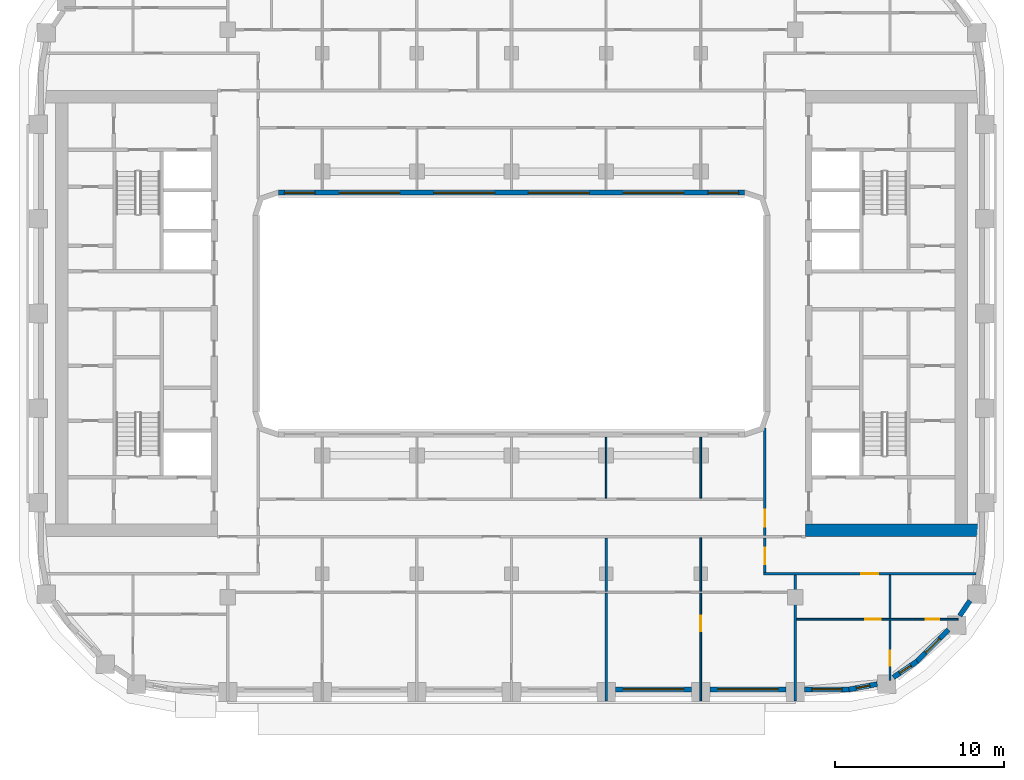
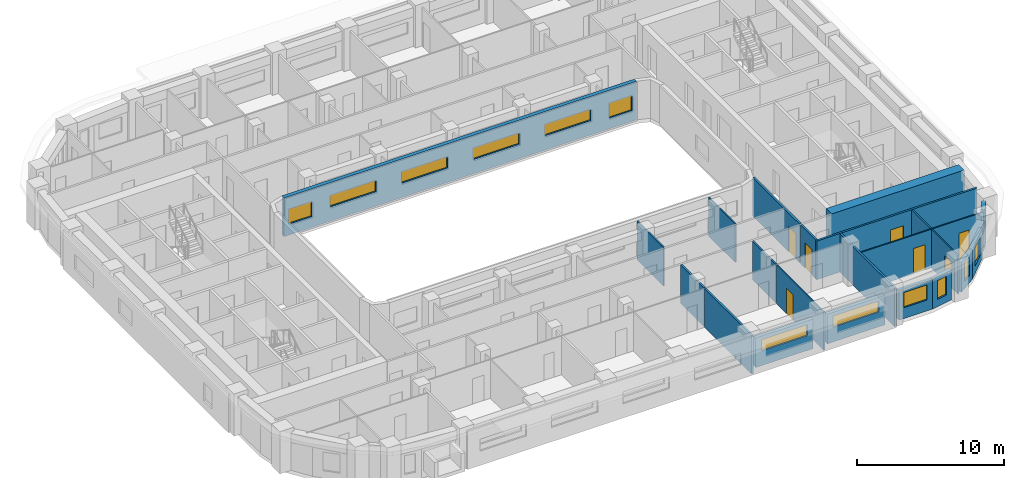
# One storey, part 5 of 22: 22 walls, 12 windows, 7 doors, 19 openings.
"""IFC4 building model written with IfcOpenShell, lengths in metres."""

from ifc_helpers import new_model, si_unit, direction, frame, frame_2d, origin, place, context, subcontext, project, spatial, rectangle, extrude, material, layer, layer_set, type_object, element, fill, save


model = new_model("IFC4")

# Units and contexts
model_context = context("Model", 3, precision=1e-05, world=origin(), true_north=direction((0.0, 1.0)))
body_context = subcontext(model_context, "Body", "Model", "MODEL_VIEW")
ifc_project = project(units=[si_unit("LENGTHUNIT", "METRE"), si_unit("AREAUNIT", "SQUARE_METRE"), si_unit("VOLUMEUNIT", "CUBIC_METRE"), si_unit("PLANEANGLEUNIT", "RADIAN"), si_unit("MASSUNIT", "GRAM", prefix="KILO")], contexts=[model_context])

# Site, building, storey
site_placement = place(None, origin())
site = spatial("IfcSite", under=ifc_project, at=site_placement, CompositionType="ELEMENT")
building_placement = place(site_placement, origin())
building = spatial("IfcBuilding", under=site, at=building_placement, Name="Kiln Ring Residences", CompositionType="ELEMENT")
storey_placement = place(building_placement, frame((0.0, 0.0, 146.60009765625)))
storey = spatial("IfcBuildingStorey", under=building, at=storey_placement, Name="L37", CompositionType="ELEMENT", Elevation=146.60009765625)

# Wall
ifc_material_1 = material(Name="Concrete C60/75", Category="concrete")
ifc_layer_1 = layer(ifc_material_1, 0.75)
ifc_layer_set_1 = layer_set([ifc_layer_1], Name="CORE-WALL-RC750")
wall_type_1 = type_object("IfcWallType", Name="CORE-WALL-RC750", PredefinedType="SHEAR", material=ifc_layer_set_1)
wall_1_placement = place(storey_placement, frame((17.39990234375, -12.824951171875, 0.0), z_axis=(0.0, 0.0, 1.0), x_axis=(1.0, 0.0, 0.0)))
element("IfcWall", 1, at=wall_1_placement, inside=storey, type_object=wall_type_1, Name="Core wall east L37 5", PredefinedType="SHEAR", context=body_context, shape_type="SweptSolid", body=[
    extrude(rectangle(XDim=10.400146484375, YDim=0.75, at=frame_2d((5.2001953125, 0.0))), origin(), (0.0, 0.0, 1.0), 3.199951171875),
])

# Wall, opening, window
ifc_material_2 = material(Name="Brick masonry, dark clay brick", Category="masonry")
ifc_layer_2 = layer(ifc_material_2, 0.300048828125)
ifc_layer_set_2 = layer_set([ifc_layer_2], Name="EW-300 BRICK WALL")
wall_type_2 = type_object("IfcWallType", Name="EW-300 BRICK WALL", PredefinedType="SOLIDWALL", material=ifc_layer_set_2)
wall_2_placement = place(storey_placement, frame((6.14990234375, -22.25, 0.0), z_axis=(0.0, 0.0, 1.0), x_axis=(1.0, 0.0, 0.0)))
wall_2 = element("IfcWall", 2, at=wall_2_placement, inside=storey, type_object=wall_type_2, Name="Facade wall L37 9", PredefinedType="SOLIDWALL", context=body_context, shape_type="SweptSolid", body=[
    extrude(rectangle(XDim=4.5, YDim=0.300048828125, at=frame_2d((2.25, 0.0))), origin(), (0.0, 0.0, 1.0), 2.449951171875),
])
opening_1_placement = place(wall_2_placement, frame((0.449951171875, 0.0, 1.199951171875)))
opening_1 = element("IfcOpeningElement", 3, at=opening_1_placement, cuts=wall_2, Name="Opening W4", PredefinedType="OPENING", context=body_context, shape_type="SweptSolid", body=[
    extrude(rectangle(XDim=3.60009765625, YDim=0.949951171875, at=frame_2d((1.800048828125, 0.47509765625))), frame((0.0, 0.159912109375, 0.0), z_axis=(0.0, -1.0, 0.0), x_axis=(1.0, 0.0, 0.0)), (0.0, 0.0, 1.0), 0.320068359375),
])
ifc_material_3 = material(Name="Aluminium frame with double glazing", Category="aluminium")
window_type_1 = type_object("IfcWindowType", Name="WINDOW 3600 x 950", PartitioningType="SINGLE_PANEL", PredefinedType="WINDOW", material=ifc_material_3)
window_1_placement = place(opening_1_placement, origin())
window_1 = element("IfcWindow", 4, at=window_1_placement, inside=storey, type_object=window_type_1, Name="Window L37 8", OverallHeight=0.949951171875, OverallWidth=3.60009765625, PartitioningType="SINGLE_PANEL", PredefinedType="WINDOW", context=body_context, shape_type="SweptSolid", body=[
    extrude(rectangle(XDim=3.60009765625, YDim=0.949951171875, at=frame_2d((1.800048828125, 0.47509765625))), frame((0.0, 0.030029296875, 0.0), z_axis=(0.0, -1.0, 0.0), x_axis=(1.0, 0.0, 0.0)), (0.0, 0.0, 1.0), 0.06005859375),
])
fill(opening_1, window_1)

wall_3_placement = place(storey_placement, frame((11.75, -22.25, 0.0), z_axis=(0.0, 0.0, 1.0), x_axis=(1.0, 0.0, 0.0)))
wall_3 = element("IfcWall", 5, at=wall_3_placement, inside=storey, type_object=wall_type_2, Name="Facade wall L37 10", PredefinedType="SOLIDWALL", context=body_context, shape_type="SweptSolid", body=[
    extrude(rectangle(XDim=4.5, YDim=0.300048828125, at=frame_2d((2.25, 0.0))), origin(), (0.0, 0.0, 1.0), 2.449951171875),
])
opening_2_placement = place(wall_3_placement, frame((0.449951171875, 0.0, 1.199951171875)))
opening_2 = element("IfcOpeningElement", 6, at=opening_2_placement, cuts=wall_3, Name="Opening W4", PredefinedType="OPENING", context=body_context, shape_type="SweptSolid", body=[
    extrude(rectangle(XDim=3.60009765625, YDim=0.949951171875, at=frame_2d((1.800048828125, 0.47509765625))), frame((0.0, 0.159912109375, 0.0), z_axis=(0.0, -1.0, 0.0), x_axis=(1.0, 0.0, 0.0)), (0.0, 0.0, 1.0), 0.320068359375),
])
window_2_placement = place(opening_2_placement, origin())
window_2 = element("IfcWindow", 7, at=window_2_placement, inside=storey, type_object=window_type_1, Name="Window L37 9", OverallHeight=0.949951171875, OverallWidth=3.60009765625, PartitioningType="SINGLE_PANEL", PredefinedType="WINDOW", context=body_context, shape_type="SweptSolid", body=[
    extrude(rectangle(XDim=3.60009765625, YDim=0.949951171875, at=frame_2d((1.800048828125, 0.47509765625))), frame((0.0, 0.030029296875, 0.0), z_axis=(0.0, -1.0, 0.0), x_axis=(1.0, 0.0, 0.0)), (0.0, 0.0, 1.0), 0.06005859375),
])
fill(opening_2, window_2)

wall_4_placement = place(storey_placement, frame((17.35009765625, -22.25, 0.0), z_axis=(0.0, 0.0, 1.0), x_axis=(1.0, 0.0, 0.0)))
wall_4 = element("IfcWall", 8, at=wall_4_placement, inside=storey, type_object=wall_type_2, Name="Facade wall L37 11", PredefinedType="SOLIDWALL", context=body_context, shape_type="SweptSolid", body=[
    extrude(rectangle(XDim=2.64990234375, YDim=0.300048828125, at=frame_2d((1.324951171875, 0.0))), origin(), (0.0, 0.0, 1.0), 2.449951171875),
])
opening_3_placement = place(wall_4_placement, frame((0.425048828125, 0.0, 0.89990234375)))
opening_3 = element("IfcOpeningElement", 9, at=opening_3_placement, cuts=wall_4, Name="Opening W2", PredefinedType="OPENING", context=body_context, shape_type="SweptSolid", body=[
    extrude(rectangle(XDim=1.800048828125, YDim=1.25, at=frame_2d((0.89990234375, 0.625))), frame((0.0, 0.159912109375, 0.0), z_axis=(0.0, -1.0, 0.0), x_axis=(1.0, 0.0, 0.0)), (0.0, 0.0, 1.0), 0.320068359375),
])
ifc_material_4 = material(Name="Aluminium frame with double glazing", Category="aluminium")
window_type_2 = type_object("IfcWindowType", Name="WINDOW 1800 x 1250", PartitioningType="SINGLE_PANEL", PredefinedType="WINDOW", material=ifc_material_4)
window_3_placement = place(opening_3_placement, origin())
window_3 = element("IfcWindow", 10, at=window_3_placement, inside=storey, type_object=window_type_2, Name="Window L37 10", OverallHeight=1.25, OverallWidth=1.800048828125, PartitioningType="SINGLE_PANEL", PredefinedType="WINDOW", context=body_context, shape_type="SweptSolid", body=[
    extrude(rectangle(XDim=1.800048828125, YDim=1.25, at=frame_2d((0.89990234375, 0.625))), frame((0.0, 0.030029296875, 0.0), z_axis=(0.0, -1.0, 0.0), x_axis=(1.0, 0.0, 0.0)), (0.0, 0.0, 1.0), 0.06005859375),
])
fill(opening_3, window_3)

wall_5_placement = place(storey_placement, frame((19.971923828125, -22.252685546875, 0.0), z_axis=(0.0, 0.0, 1.0), x_axis=(0.982297206936, 0.187329114784, 0.0)))
wall_5 = element("IfcWall", 11, at=wall_5_placement, inside=storey, type_object=wall_type_2, Name="Facade wall L37 12", PredefinedType="SOLIDWALL", context=body_context, shape_type="SweptSolid", body=[
    extrude(rectangle(XDim=1.7060546875, YDim=0.300048828125, at=frame_2d((0.85302734375, 0.0))), origin(), (0.0, 0.0, 1.0), 2.449951171875),
])
opening_4_placement = place(wall_5_placement, frame((0.453125, 0.0, 0.60009765625)))
opening_4 = element("IfcOpeningElement", 12, at=opening_4_placement, cuts=wall_5, Name="Opening W5", PredefinedType="OPENING", context=body_context, shape_type="SweptSolid", body=[
    extrude(rectangle(XDim=0.800048828125, YDim=1.550048828125, at=frame_2d((0.39990234375, 0.77490234375))), frame((0.0, 0.159912109375, 0.0), z_axis=(0.0, -1.0, 0.0), x_axis=(1.0, 0.0, 0.0)), (0.0, 0.0, 1.0), 0.320068359375),
])
ifc_material_5 = material(Name="Aluminium frame with double glazing", Category="aluminium")
window_type_3 = type_object("IfcWindowType", Name="WINDOW 800 x 1550", PartitioningType="SINGLE_PANEL", PredefinedType="WINDOW", material=ifc_material_5)
window_4_placement = place(opening_4_placement, origin())
window_4 = element("IfcWindow", 13, at=window_4_placement, inside=storey, type_object=window_type_3, Name="Window L37 11", OverallHeight=1.550048828125, OverallWidth=0.800048828125, PartitioningType="SINGLE_PANEL", PredefinedType="WINDOW", context=body_context, shape_type="SweptSolid", body=[
    extrude(rectangle(XDim=0.800048828125, YDim=1.550048828125, at=frame_2d((0.39990234375, 0.77490234375))), frame((0.0, 0.030029296875, 0.0), z_axis=(0.0, -1.0, 0.0), x_axis=(1.0, 0.0, 0.0)), (0.0, 0.0, 1.0), 0.06005859375),
])
fill(opening_4, window_4)

wall_6_placement = place(storey_placement, frame((22.601806640625, -21.537841796875, 0.0), z_axis=(0.0, 0.0, 1.0), x_axis=(0.827040942766, 0.562141689424, 0.0)))
wall_6 = element("IfcWall", 14, at=wall_6_placement, inside=storey, type_object=wall_type_2, Name="Facade wall L37 13", PredefinedType="SOLIDWALL", context=body_context, shape_type="SweptSolid", body=[
    extrude(rectangle(XDim=1.7060546875, YDim=0.300048828125, at=frame_2d((0.85302734375, 0.0))), origin(), (0.0, 0.0, 1.0), 2.449951171875),
])
opening_5_placement = place(wall_6_placement, frame((0.453125, 0.0, 0.60009765625)))
opening_5 = element("IfcOpeningElement", 15, at=opening_5_placement, cuts=wall_6, Name="Opening W5", PredefinedType="OPENING", context=body_context, shape_type="SweptSolid", body=[
    extrude(rectangle(XDim=0.800048828125, YDim=1.550048828125, at=frame_2d((0.39990234375, 0.77490234375))), frame((0.0, 0.159912109375, 0.0), z_axis=(0.0, -1.0, 0.0), x_axis=(1.0, 0.0, 0.0)), (0.0, 0.0, 1.0), 0.320068359375),
])
window_5_placement = place(opening_5_placement, origin())
window_5 = element("IfcWindow", 16, at=window_5_placement, inside=storey, type_object=window_type_3, Name="Window L37 12", OverallHeight=1.550048828125, OverallWidth=0.800048828125, PartitioningType="SINGLE_PANEL", PredefinedType="WINDOW", context=body_context, shape_type="SweptSolid", body=[
    extrude(rectangle(XDim=0.800048828125, YDim=1.550048828125, at=frame_2d((0.39990234375, 0.77490234375))), frame((0.0, 0.030029296875, 0.0), z_axis=(0.0, -1.0, 0.0), x_axis=(1.0, 0.0, 0.0)), (0.0, 0.0, 1.0), 0.06005859375),
])
fill(opening_5, window_5)

wall_7_placement = place(storey_placement, frame((23.990966796875, -20.596923828125, 0.0), z_axis=(0.0, 0.0, 1.0), x_axis=(0.707106781187, 0.707106781187, 0.0)))
wall_7 = element("IfcWall", 17, at=wall_7_placement, inside=storey, type_object=wall_type_2, Name="Facade wall L37 14", PredefinedType="SOLIDWALL", context=body_context, shape_type="SweptSolid", body=[
    extrude(rectangle(XDim=2.64990234375, YDim=0.300048828125, at=frame_2d((1.324951171875, 0.0))), origin(), (0.0, 0.0, 1.0), 2.449951171875),
])
opening_6_placement = place(wall_7_placement, frame((0.72509765625, 0.0, 0.60009765625)))
opening_6 = element("IfcOpeningElement", 18, at=opening_6_placement, cuts=wall_7, Name="Opening W1", PredefinedType="OPENING", context=body_context, shape_type="SweptSolid", body=[
    extrude(rectangle(XDim=1.199951171875, YDim=1.550048828125, at=frame_2d((0.60009765625, 0.77490234375))), frame((0.0, 0.159912109375, 0.0), z_axis=(0.0, -1.0, 0.0), x_axis=(1.0, 0.0, 0.0)), (0.0, 0.0, 1.0), 0.320068359375),
])
ifc_material_6 = material(Name="Aluminium frame with double glazing", Category="aluminium")
window_type_4 = type_object("IfcWindowType", Name="WINDOW 1200 x 1550", PartitioningType="SINGLE_PANEL", PredefinedType="WINDOW", material=ifc_material_6)
window_6_placement = place(opening_6_placement, origin())
window_6 = element("IfcWindow", 19, at=window_6_placement, inside=storey, type_object=window_type_4, Name="Window L37 13", OverallHeight=1.550048828125, OverallWidth=1.199951171875, PartitioningType="SINGLE_PANEL", PredefinedType="WINDOW", context=body_context, shape_type="SweptSolid", body=[
    extrude(rectangle(XDim=1.199951171875, YDim=1.550048828125, at=frame_2d((0.60009765625, 0.77490234375))), frame((0.0, 0.030029296875, 0.0), z_axis=(0.0, -1.0, 0.0), x_axis=(1.0, 0.0, 0.0)), (0.0, 0.0, 1.0), 0.06005859375),
])
fill(opening_6, window_6)

# Wall
wall_8_placement = place(storey_placement, frame((26.532470703125, -17.892578125, 0.0), z_axis=(0.0, 0.0, 1.0), x_axis=(0.562105419172, 0.82706559458, 0.0)))
element("IfcWall", 20, at=wall_8_placement, inside=storey, type_object=wall_type_2, Name="Facade wall L37 15", PredefinedType="SOLIDWALL", context=body_context, shape_type="SweptSolid", body=[
    extrude(rectangle(XDim=1.0771484375, YDim=0.300048828125, at=frame_2d((0.53857421875, 0.0))), origin(), (0.0, 0.0, 1.0), 3.199951171875),
])

# Wall, openings, windows
wall_9_placement = place(storey_placement, frame((-13.800048828125, 7.14990234375, 0.0), z_axis=(0.0, 0.0, 1.0), x_axis=(1.0, 0.0, 0.0)))
wall_9 = element("IfcWall", 21, at=wall_9_placement, inside=storey, type_object=wall_type_2, Name="Facade wall L37 50", PredefinedType="SOLIDWALL", context=body_context, shape_type="SweptSolid", body=[
    extrude(rectangle(XDim=27.60009765625, YDim=0.300048828125, at=frame_2d((13.800048828125, 0.0))), origin(), (0.0, 0.0, 1.0), 3.199951171875),
])
opening_7_placement = place(wall_9_placement, frame((0.362548828125, 0.0, 0.89990234375)))
opening_7 = element("IfcOpeningElement", 22, at=opening_7_placement, cuts=wall_9, Name="Opening W2", PredefinedType="OPENING", context=body_context, shape_type="SweptSolid", body=[
    extrude(rectangle(XDim=1.800048828125, YDim=1.25, at=frame_2d((0.89990234375, 0.625))), frame((0.0, 0.159912109375, 0.0), z_axis=(0.0, -1.0, 0.0), x_axis=(1.0, 0.0, 0.0)), (0.0, 0.0, 1.0), 0.320068359375),
])
opening_8_placement = place(wall_9_placement, frame((3.60009765625, 0.0, 1.199951171875)))
opening_8 = element("IfcOpeningElement", 23, at=opening_8_placement, cuts=wall_9, Name="Opening W4", PredefinedType="OPENING", context=body_context, shape_type="SweptSolid", body=[
    extrude(rectangle(XDim=3.60009765625, YDim=0.949951171875, at=frame_2d((1.800048828125, 0.47509765625))), frame((0.0, 0.159912109375, 0.0), z_axis=(0.0, -1.0, 0.0), x_axis=(1.0, 0.0, 0.0)), (0.0, 0.0, 1.0), 0.320068359375),
])
opening_9_placement = place(wall_9_placement, frame((9.199951171875, 0.0, 1.199951171875)))
opening_9 = element("IfcOpeningElement", 24, at=opening_9_placement, cuts=wall_9, Name="Opening W4", PredefinedType="OPENING", context=body_context, shape_type="SweptSolid", body=[
    extrude(rectangle(XDim=3.60009765625, YDim=0.949951171875, at=frame_2d((1.800048828125, 0.47509765625))), frame((0.0, 0.159912109375, 0.0), z_axis=(0.0, -1.0, 0.0), x_axis=(1.0, 0.0, 0.0)), (0.0, 0.0, 1.0), 0.320068359375),
])
opening_10_placement = place(wall_9_placement, frame((14.800048828125, 0.0, 1.199951171875)))
opening_10 = element("IfcOpeningElement", 25, at=opening_10_placement, cuts=wall_9, Name="Opening W4", PredefinedType="OPENING", context=body_context, shape_type="SweptSolid", body=[
    extrude(rectangle(XDim=3.60009765625, YDim=0.949951171875, at=frame_2d((1.800048828125, 0.47509765625))), frame((0.0, 0.159912109375, 0.0), z_axis=(0.0, -1.0, 0.0), x_axis=(1.0, 0.0, 0.0)), (0.0, 0.0, 1.0), 0.320068359375),
])
opening_11_placement = place(wall_9_placement, frame((20.39990234375, 0.0, 1.199951171875)))
opening_11 = element("IfcOpeningElement", 26, at=opening_11_placement, cuts=wall_9, Name="Opening W4", PredefinedType="OPENING", context=body_context, shape_type="SweptSolid", body=[
    extrude(rectangle(XDim=3.60009765625, YDim=0.949951171875, at=frame_2d((1.800048828125, 0.47509765625))), frame((0.0, 0.159912109375, 0.0), z_axis=(0.0, -1.0, 0.0), x_axis=(1.0, 0.0, 0.0)), (0.0, 0.0, 1.0), 0.320068359375),
])
opening_12_placement = place(wall_9_placement, frame((25.4375, 0.0, 0.89990234375)))
opening_12 = element("IfcOpeningElement", 27, at=opening_12_placement, cuts=wall_9, Name="Opening W2", PredefinedType="OPENING", context=body_context, shape_type="SweptSolid", body=[
    extrude(rectangle(XDim=1.800048828125, YDim=1.25, at=frame_2d((0.89990234375, 0.625))), frame((0.0, 0.159912109375, 0.0), z_axis=(0.0, -1.0, 0.0), x_axis=(1.0, 0.0, 0.0)), (0.0, 0.0, 1.0), 0.320068359375),
])
window_7_placement = place(opening_7_placement, origin())
window_7 = element("IfcWindow", 28, at=window_7_placement, inside=storey, type_object=window_type_2, Name="Window L37 28", OverallHeight=1.25, OverallWidth=1.800048828125, PartitioningType="SINGLE_PANEL", PredefinedType="WINDOW", context=body_context, shape_type="SweptSolid", body=[
    extrude(rectangle(XDim=1.800048828125, YDim=1.25, at=frame_2d((0.89990234375, 0.625))), frame((0.0, 0.030029296875, 0.0), z_axis=(0.0, -1.0, 0.0), x_axis=(1.0, 0.0, 0.0)), (0.0, 0.0, 1.0), 0.06005859375),
])
fill(opening_7, window_7)
window_8_placement = place(opening_12_placement, origin())
window_8 = element("IfcWindow", 29, at=window_8_placement, inside=storey, type_object=window_type_2, Name="Window L37 33", OverallHeight=1.25, OverallWidth=1.800048828125, PartitioningType="SINGLE_PANEL", PredefinedType="WINDOW", context=body_context, shape_type="SweptSolid", body=[
    extrude(rectangle(XDim=1.800048828125, YDim=1.25, at=frame_2d((0.89990234375, 0.625))), frame((0.0, 0.030029296875, 0.0), z_axis=(0.0, -1.0, 0.0), x_axis=(1.0, 0.0, 0.0)), (0.0, 0.0, 1.0), 0.06005859375),
])
fill(opening_12, window_8)
window_9_placement = place(opening_8_placement, origin())
window_9 = element("IfcWindow", 30, at=window_9_placement, inside=storey, type_object=window_type_1, Name="Window L37 29", OverallHeight=0.949951171875, OverallWidth=3.60009765625, PartitioningType="SINGLE_PANEL", PredefinedType="WINDOW", context=body_context, shape_type="SweptSolid", body=[
    extrude(rectangle(XDim=3.60009765625, YDim=0.949951171875, at=frame_2d((1.800048828125, 0.47509765625))), frame((0.0, 0.030029296875, 0.0), z_axis=(0.0, -1.0, 0.0), x_axis=(1.0, 0.0, 0.0)), (0.0, 0.0, 1.0), 0.06005859375),
])
fill(opening_8, window_9)
window_10_placement = place(opening_9_placement, origin())
window_10 = element("IfcWindow", 31, at=window_10_placement, inside=storey, type_object=window_type_1, Name="Window L37 30", OverallHeight=0.949951171875, OverallWidth=3.60009765625, PartitioningType="SINGLE_PANEL", PredefinedType="WINDOW", context=body_context, shape_type="SweptSolid", body=[
    extrude(rectangle(XDim=3.60009765625, YDim=0.949951171875, at=frame_2d((1.800048828125, 0.47509765625))), frame((0.0, 0.030029296875, 0.0), z_axis=(0.0, -1.0, 0.0), x_axis=(1.0, 0.0, 0.0)), (0.0, 0.0, 1.0), 0.06005859375),
])
fill(opening_9, window_10)
window_11_placement = place(opening_10_placement, origin())
window_11 = element("IfcWindow", 32, at=window_11_placement, inside=storey, type_object=window_type_1, Name="Window L37 31", OverallHeight=0.949951171875, OverallWidth=3.60009765625, PartitioningType="SINGLE_PANEL", PredefinedType="WINDOW", context=body_context, shape_type="SweptSolid", body=[
    extrude(rectangle(XDim=3.60009765625, YDim=0.949951171875, at=frame_2d((1.800048828125, 0.47509765625))), frame((0.0, 0.030029296875, 0.0), z_axis=(0.0, -1.0, 0.0), x_axis=(1.0, 0.0, 0.0)), (0.0, 0.0, 1.0), 0.06005859375),
])
fill(opening_10, window_11)
window_12_placement = place(opening_11_placement, origin())
window_12 = element("IfcWindow", 33, at=window_12_placement, inside=storey, type_object=window_type_1, Name="Window L37 32", OverallHeight=0.949951171875, OverallWidth=3.60009765625, PartitioningType="SINGLE_PANEL", PredefinedType="WINDOW", context=body_context, shape_type="SweptSolid", body=[
    extrude(rectangle(XDim=3.60009765625, YDim=0.949951171875, at=frame_2d((1.800048828125, 0.47509765625))), frame((0.0, 0.030029296875, 0.0), z_axis=(0.0, -1.0, 0.0), x_axis=(1.0, 0.0, 0.0)), (0.0, 0.0, 1.0), 0.06005859375),
])
fill(opening_11, window_12)

# Wall, openings, doors
ifc_material_7 = material(Name="Gypsum board on steel studs", Category="steel")
ifc_layer_3 = layer(ifc_material_7, 0.10009765625)
ifc_layer_set_3 = layer_set([ifc_layer_3], Name="PARTITION-100")
wall_type_3 = type_object("IfcWallType", Name="PARTITION-100", PredefinedType="PARTITIONING", material=ifc_layer_set_3)
wall_10_placement = place(storey_placement, frame((16.875, -18.10009765625, 0.0), z_axis=(0.0, 0.0, 1.0), x_axis=(1.0, 0.0, 0.0)))
wall_10 = element("IfcWall", 34, at=wall_10_placement, inside=storey, type_object=wall_type_3, Name="Partition 000", PredefinedType="PARTITIONING", context=body_context, shape_type="SweptSolid", body=[
    extrude(rectangle(XDim=9.56494140625, YDim=0.10009765625, at=frame_2d((4.782470703125, 0.0))), origin(), (0.0, 0.0, 1.0), 3.199951171875),
])
opening_13_placement = place(wall_10_placement, frame((7.638916015625, 0.0, 0.0)))
opening_13 = element("IfcOpeningElement", 35, at=opening_13_placement, cuts=wall_10, Name="Opening L37-D057", PredefinedType="OPENING", context=body_context, shape_type="SweptSolid", body=[
    extrude(rectangle(XDim=0.800048828125, YDim=2.10009765625, at=frame_2d((0.39990234375, 1.050048828125))), frame((0.0, 0.06005859375, 0.0), z_axis=(0.0, -1.0, 0.0), x_axis=(1.0, 0.0, 0.0)), (0.0, 0.0, 1.0), 0.1201171875),
])
opening_14_placement = place(wall_10_placement, frame((4.074951171875, 0.0, 0.0)))
opening_14 = element("IfcOpeningElement", 36, at=opening_14_placement, cuts=wall_10, Name="Opening L37-D058", PredefinedType="OPENING", context=body_context, shape_type="SweptSolid", body=[
    extrude(rectangle(XDim=0.89990234375, YDim=2.10009765625, at=frame_2d((0.449951171875, 1.050048828125))), frame((0.0, 0.06005859375, 0.0), z_axis=(0.0, -1.0, 0.0), x_axis=(1.0, 0.0, 0.0)), (0.0, 0.0, 1.0), 0.1201171875),
])
ifc_material_8 = material(Name="Timber door leaf", Category="wood")
door_type_1 = type_object("IfcDoorType", Name="FLAT-DOOR-800-PL", OperationType="SINGLE_SWING_LEFT", PredefinedType="DOOR", material=ifc_material_8)
door_1_placement = place(opening_13_placement, origin())
door_1 = element("IfcDoor", 37, at=door_1_placement, inside=storey, type_object=door_type_1, Name="Door L37-D057", OperationType="SINGLE_SWING_LEFT", OverallHeight=2.10009765625, OverallWidth=0.800048828125, PredefinedType="DOOR", context=body_context, shape_type="SweptSolid", body=[
    extrude(rectangle(XDim=0.800048828125, YDim=2.10009765625, at=frame_2d((0.39990234375, 1.050048828125))), frame((0.0, 0.02490234375, 0.0), z_axis=(0.0, -1.0, 0.0), x_axis=(1.0, 0.0, 0.0)), (0.0, 0.0, 1.0), 0.050048828125),
])
fill(opening_13, door_1)
ifc_material_9 = material(Name="Timber door leaf", Category="wood")
door_type_2 = type_object("IfcDoorType", Name="FLAT-DOOR-900-PL", OperationType="SINGLE_SWING_LEFT", PredefinedType="DOOR", material=ifc_material_9)
door_2_placement = place(opening_14_placement, origin())
door_2 = element("IfcDoor", 38, at=door_2_placement, inside=storey, type_object=door_type_2, Name="Door L37-D058", OperationType="SINGLE_SWING_RIGHT", OverallHeight=2.10009765625, OverallWidth=0.89990234375, PredefinedType="DOOR", context=body_context, shape_type="SweptSolid", body=[
    extrude(rectangle(XDim=0.89990234375, YDim=2.10009765625, at=frame_2d((0.449951171875, 1.050048828125))), frame((0.0, 0.02490234375, 0.0), z_axis=(0.0, -1.0, 0.0), x_axis=(1.0, 0.0, 0.0)), (0.0, 0.0, 1.0), 0.050048828125),
])
fill(opening_14, door_2)

# Wall
wall_11_placement = place(storey_placement, frame((5.60009765625, -10.925048828125, 0.0), z_axis=(0.0, 0.0, 1.0), x_axis=(0.0, 1.0, 0.0)))
element("IfcWall", 39, at=wall_11_placement, inside=storey, type_object=wall_type_3, Name="Partition 045", PredefinedType="PARTITIONING", context=body_context, shape_type="SweptSolid", body=[
    extrude(rectangle(XDim=3.60498046875, YDim=0.10009765625, at=frame_2d((1.802490234375, 0.0))), origin(), (0.0, 0.0, 1.0), 3.199951171875),
])

# Wall, opening, door
wall_12_placement = place(storey_placement, frame((11.199951171875, -22.929931640625, 0.0), z_axis=(0.0, 0.0, 1.0), x_axis=(0.0, 1.0, 0.0)))
wall_12 = element("IfcWall", 40, at=wall_12_placement, inside=storey, type_object=wall_type_3, Name="Partition 051", PredefinedType="PARTITIONING", context=body_context, shape_type="SweptSolid", body=[
    extrude(rectangle(XDim=6.3798828125, YDim=0.10009765625, at=frame_2d((3.18994140625, 0.0))), origin(), (0.0, 0.0, 1.0), 3.199951171875),
])
opening_15_placement = place(wall_12_placement, frame((4.1298828125, 0.0, 0.0)))
opening_15 = element("IfcOpeningElement", 41, at=opening_15_placement, cuts=wall_12, Name="Opening L37-D055", PredefinedType="OPENING", context=body_context, shape_type="SweptSolid", body=[
    extrude(rectangle(XDim=0.89990234375, YDim=2.10009765625, at=frame_2d((0.449951171875, 1.050048828125))), frame((0.0, 0.06005859375, 0.0), z_axis=(0.0, -1.0, 0.0), x_axis=(1.0, 0.0, 0.0)), (0.0, 0.0, 1.0), 0.1201171875),
])
door_3_placement = place(opening_15_placement, origin())
door_3 = element("IfcDoor", 42, at=door_3_placement, inside=storey, type_object=door_type_2, Name="Door L37-D055", OperationType="SINGLE_SWING_LEFT", OverallHeight=2.10009765625, OverallWidth=0.89990234375, PredefinedType="DOOR", context=body_context, shape_type="SweptSolid", body=[
    extrude(rectangle(XDim=0.89990234375, YDim=2.10009765625, at=frame_2d((0.449951171875, 1.050048828125))), frame((0.0, 0.02490234375, 0.0), z_axis=(0.0, -1.0, 0.0), x_axis=(1.0, 0.0, 0.0)), (0.0, 0.0, 1.0), 0.050048828125),
])
fill(opening_15, door_3)

# Walls
wall_13_placement = place(storey_placement, frame((11.199951171875, -16.449951171875, 0.0), z_axis=(0.0, 0.0, 1.0), x_axis=(0.0, 1.0, 0.0)))
element("IfcWall", 43, at=wall_13_placement, inside=storey, type_object=wall_type_3, Name="Partition 052", PredefinedType="PARTITIONING", context=body_context, shape_type="SweptSolid", body=[
    extrude(rectangle(XDim=3.175048828125, YDim=0.10009765625, at=frame_2d((1.58740234375, 0.0))), origin(), (0.0, 0.0, 1.0), 3.199951171875),
])
wall_14_placement = place(storey_placement, frame((11.199951171875, -10.925048828125, 0.0), z_axis=(0.0, 0.0, 1.0), x_axis=(0.0, 1.0, 0.0)))
element("IfcWall", 44, at=wall_14_placement, inside=storey, type_object=wall_type_3, Name="Partition 053", PredefinedType="PARTITIONING", context=body_context, shape_type="SweptSolid", body=[
    extrude(rectangle(XDim=3.60498046875, YDim=0.10009765625, at=frame_2d((1.802490234375, 0.0))), origin(), (0.0, 0.0, 1.0), 3.199951171875),
])

# Wall, opening, door
wall_15_placement = place(storey_placement, frame((22.39990234375, -21.719970703125, 0.0), z_axis=(0.0, 0.0, 1.0), x_axis=(0.0, 1.0, 0.0)))
wall_15 = element("IfcWall", 45, at=wall_15_placement, inside=storey, type_object=wall_type_3, Name="Partition 063", PredefinedType="PARTITIONING", context=body_context, shape_type="SweptSolid", body=[
    extrude(rectangle(XDim=3.570068359375, YDim=0.10009765625, at=frame_2d((1.78515625, 0.0))), origin(), (0.0, 0.0, 1.0), 3.199951171875),
])
opening_16_placement = place(wall_15_placement, frame((0.8720703125, 0.0, 0.0)))
opening_16 = element("IfcOpeningElement", 46, at=opening_16_placement, cuts=wall_15, Name="Opening L37-D059", PredefinedType="OPENING", context=body_context, shape_type="SweptSolid", body=[
    extrude(rectangle(XDim=0.89990234375, YDim=2.10009765625, at=frame_2d((0.449951171875, 1.050048828125))), frame((0.0, 0.06005859375, 0.0), z_axis=(0.0, -1.0, 0.0), x_axis=(1.0, 0.0, 0.0)), (0.0, 0.0, 1.0), 0.1201171875),
])
door_4_placement = place(opening_16_placement, origin())
door_4 = element("IfcDoor", 47, at=door_4_placement, inside=storey, type_object=door_type_2, Name="Door L37-D059", OperationType="SINGLE_SWING_LEFT", OverallHeight=2.10009765625, OverallWidth=0.89990234375, PredefinedType="DOOR", context=body_context, shape_type="SweptSolid", body=[
    extrude(rectangle(XDim=0.89990234375, YDim=2.10009765625, at=frame_2d((0.449951171875, 1.050048828125))), frame((0.0, 0.02490234375, 0.0), z_axis=(0.0, -1.0, 0.0), x_axis=(1.0, 0.0, 0.0)), (0.0, 0.0, 1.0), 0.050048828125),
])
fill(opening_16, door_4)

# Wall
wall_16_placement = place(storey_placement, frame((22.39990234375, -18.050048828125, 0.0), z_axis=(0.0, 0.0, 1.0), x_axis=(0.0, 1.0, 0.0)))
element("IfcWall", 48, at=wall_16_placement, inside=storey, type_object=wall_type_3, Name="Partition 064", PredefinedType="PARTITIONING", context=body_context, shape_type="SweptSolid", body=[
    extrude(rectangle(XDim=2.574951171875, YDim=0.10009765625, at=frame_2d((1.28759765625, 0.0))), origin(), (0.0, 0.0, 1.0), 3.199951171875),
])

# Wall, opening, door
ifc_material_10 = material(Name="Brick masonry partition", Category="masonry")
ifc_layer_4 = layer(ifc_material_10, 0.14990234375)
ifc_layer_set_4 = layer_set([ifc_layer_4], Name="PARTITION-150-ei60")
wall_type_4 = type_object("IfcWallType", Name="PARTITION-150-ei60", PredefinedType="PARTITIONING", material=ifc_layer_set_4)
wall_17_placement = place(storey_placement, frame((14.925048828125, -15.39990234375, 0.0), z_axis=(0.0, 0.0, 1.0), x_axis=(1.0, 0.0, 0.0)))
wall_17 = element("IfcWall", 49, at=wall_17_placement, inside=storey, type_object=wall_type_4, Name="Partition 004", PredefinedType="PARTITIONING", context=body_context, shape_type="SweptSolid", body=[
    extrude(rectangle(XDim=12.558837890625, YDim=0.14990234375, at=frame_2d((6.279296875, 0.0))), origin(), (0.0, 0.0, 1.0), 3.199951171875),
])
opening_17_placement = place(wall_17_placement, frame((5.77490234375, 0.0, 0.0)))
opening_17 = element("IfcOpeningElement", 50, at=opening_17_placement, cuts=wall_17, Name="Opening L37-D056", PredefinedType="OPENING", context=body_context, shape_type="SweptSolid", body=[
    extrude(rectangle(XDim=1.0, YDim=2.10009765625, at=frame_2d((0.5, 1.050048828125))), frame((0.0, 0.0849609375, 0.0), z_axis=(0.0, -1.0, 0.0), x_axis=(1.0, 0.0, 0.0)), (0.0, 0.0, 1.0), 0.169921875),
])
ifc_material_11 = material(Name="Steel faced fire door leaf", Category="steel")
door_type_3 = type_object("IfcDoorType", Name="FLAT-DOOR-1000-FR", OperationType="SINGLE_SWING_LEFT", PredefinedType="DOOR", material=ifc_material_11)
door_5_placement = place(opening_17_placement, origin())
door_5 = element("IfcDoor", 51, at=door_5_placement, inside=storey, type_object=door_type_3, Name="Door L37-D056", OperationType="SINGLE_SWING_RIGHT", OverallHeight=2.10009765625, OverallWidth=1.0, PredefinedType="DOOR", context=body_context, shape_type="SweptSolid", body=[
    extrude(rectangle(XDim=1.0, YDim=2.10009765625, at=frame_2d((0.5, 1.050048828125))), frame((0.0, 0.02490234375, 0.0), z_axis=(0.0, -1.0, 0.0), x_axis=(1.0, 0.0, 0.0)), (0.0, 0.0, 1.0), 0.050048828125),
])
fill(opening_17, door_5)

# Walls
wall_18_placement = place(storey_placement, frame((5.60009765625, -22.929931640625, 0.0), z_axis=(0.0, 0.0, 1.0), x_axis=(0.0, 1.0, 0.0)))
element("IfcWall", 52, at=wall_18_placement, inside=storey, type_object=wall_type_4, Name="Partition 049", PredefinedType="PARTITIONING", context=body_context, shape_type="SweptSolid", body=[
    extrude(rectangle(XDim=6.3798828125, YDim=0.14990234375, at=frame_2d((3.18994140625, 0.0))), origin(), (0.0, 0.0, 1.0), 3.199951171875),
])
wall_19_placement = place(storey_placement, frame((5.60009765625, -16.449951171875, 0.0), z_axis=(0.0, 0.0, 1.0), x_axis=(0.0, 1.0, 0.0)))
element("IfcWall", 53, at=wall_19_placement, inside=storey, type_object=wall_type_4, Name="Partition 050", PredefinedType="PARTITIONING", context=body_context, shape_type="SweptSolid", body=[
    extrude(rectangle(XDim=3.175048828125, YDim=0.14990234375, at=frame_2d((1.58740234375, 0.0))), origin(), (0.0, 0.0, 1.0), 3.199951171875),
])

# Wall, opening, door
wall_20_placement = place(storey_placement, frame((15.0, -15.324951171875, 0.0), z_axis=(0.0, 0.0, 1.0), x_axis=(0.0, 1.0, 0.0)))
wall_20 = element("IfcWall", 54, at=wall_20_placement, inside=storey, type_object=wall_type_4, Name="Partition 057", PredefinedType="PARTITIONING", context=body_context, shape_type="SweptSolid", body=[
    extrude(rectangle(XDim=2.050048828125, YDim=0.14990234375, at=frame_2d((1.02490234375, 0.0))), origin(), (0.0, 0.0, 1.0), 3.199951171875),
])
opening_18_placement = place(wall_20_placement, frame((0.47412109375, 0.0, 0.0)))
opening_18 = element("IfcOpeningElement", 55, at=opening_18_placement, cuts=wall_20, Name="Opening L37-D052", PredefinedType="OPENING", context=body_context, shape_type="SweptSolid", body=[
    extrude(rectangle(XDim=1.0, YDim=2.10009765625, at=frame_2d((0.5, 1.050048828125))), frame((0.0, 0.0849609375, 0.0), z_axis=(0.0, -1.0, 0.0), x_axis=(1.0, 0.0, 0.0)), (0.0, 0.0, 1.0), 0.169921875),
])
door_6_placement = place(opening_18_placement, origin())
door_6 = element("IfcDoor", 56, at=door_6_placement, inside=storey, type_object=door_type_3, Name="Door L37-D052", OperationType="SINGLE_SWING_RIGHT", OverallHeight=2.10009765625, OverallWidth=1.0, PredefinedType="DOOR", context=body_context, shape_type="SweptSolid", body=[
    extrude(rectangle(XDim=1.0, YDim=2.10009765625, at=frame_2d((0.5, 1.050048828125))), frame((0.0, 0.02490234375, 0.0), z_axis=(0.0, -1.0, 0.0), x_axis=(1.0, 0.0, 0.0)), (0.0, 0.0, 1.0), 0.050048828125),
])
fill(opening_18, door_6)

wall_21_placement = place(storey_placement, frame((15.0, -13.125, 0.0), z_axis=(0.0, 0.0, 1.0), x_axis=(0.0, 1.0, 0.0)))
wall_21 = element("IfcWall", 57, at=wall_21_placement, inside=storey, type_object=wall_type_4, Name="Partition 058", PredefinedType="PARTITIONING", context=body_context, shape_type="SweptSolid", body=[
    extrude(rectangle(XDim=6.356201171875, YDim=0.14990234375, at=frame_2d((3.17822265625, 0.0))), origin(), (0.0, 0.0, 1.0), 3.199951171875),
])
opening_19_placement = place(wall_21_placement, frame((0.49609375, 0.0, 0.0)))
opening_19 = element("IfcOpeningElement", 58, at=opening_19_placement, cuts=wall_21, Name="Opening L37-D006", PredefinedType="OPENING", context=body_context, shape_type="SweptSolid", body=[
    extrude(rectangle(XDim=1.0, YDim=2.10009765625, at=frame_2d((0.5, 1.050048828125))), frame((0.0, 0.0849609375, 0.0), z_axis=(0.0, -1.0, 0.0), x_axis=(1.0, 0.0, 0.0)), (0.0, 0.0, 1.0), 0.169921875),
])
door_7_placement = place(opening_19_placement, origin())
door_7 = element("IfcDoor", 59, at=door_7_placement, inside=storey, type_object=door_type_3, Name="Door L37-D006", OperationType="SINGLE_SWING_LEFT", OverallHeight=2.10009765625, OverallWidth=1.0, PredefinedType="DOOR", context=body_context, shape_type="SweptSolid", body=[
    extrude(rectangle(XDim=1.0, YDim=2.10009765625, at=frame_2d((0.5, 1.050048828125))), frame((0.0, 0.02490234375, 0.0), z_axis=(0.0, -1.0, 0.0), x_axis=(1.0, 0.0, 0.0)), (0.0, 0.0, 1.0), 0.050048828125),
])
fill(opening_19, door_7)

# Wall
wall_22_placement = place(storey_placement, frame((16.800048828125, -22.929931640625, 0.0), z_axis=(0.0, 0.0, 1.0), x_axis=(0.0, 1.0, 0.0)))
element("IfcWall", 60, at=wall_22_placement, inside=storey, type_object=wall_type_4, Name="Partition 061", PredefinedType="PARTITIONING", context=body_context, shape_type="SweptSolid", body=[
    extrude(rectangle(XDim=7.454833984375, YDim=0.14990234375, at=frame_2d((3.7275390625, 0.0))), origin(), (0.0, 0.0, 1.0), 3.199951171875),
])

save(model, "model.ifc")
